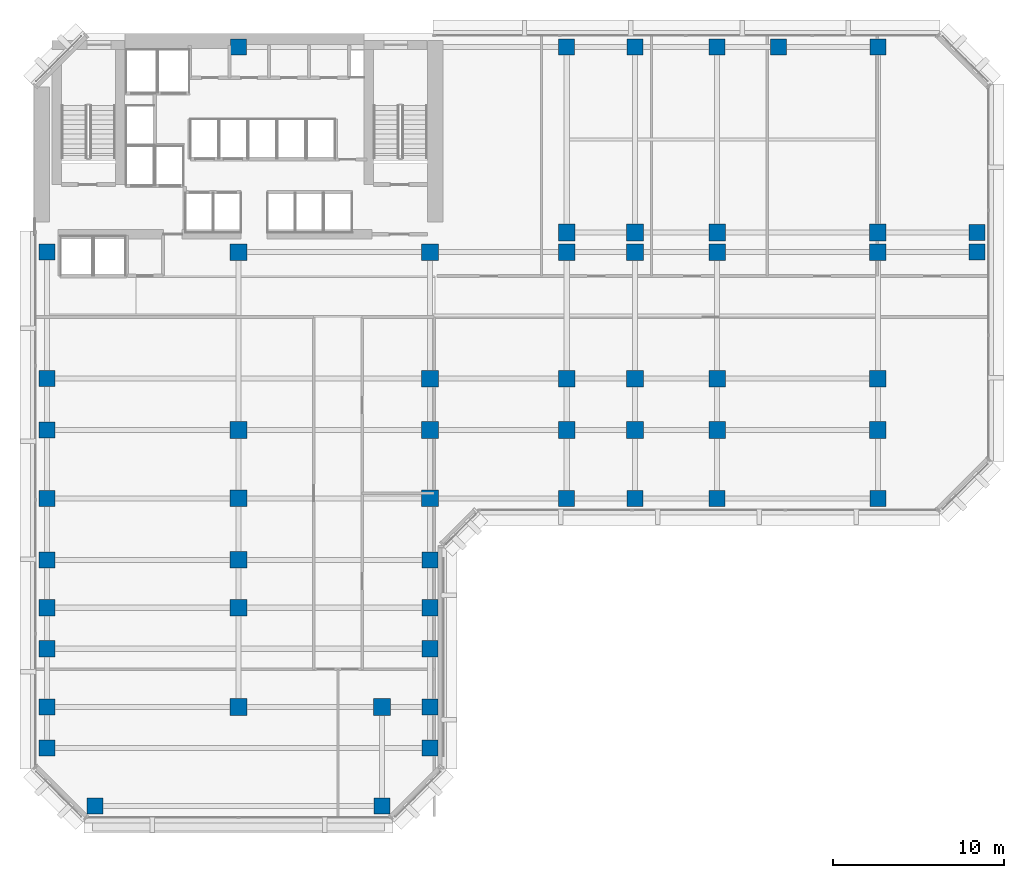
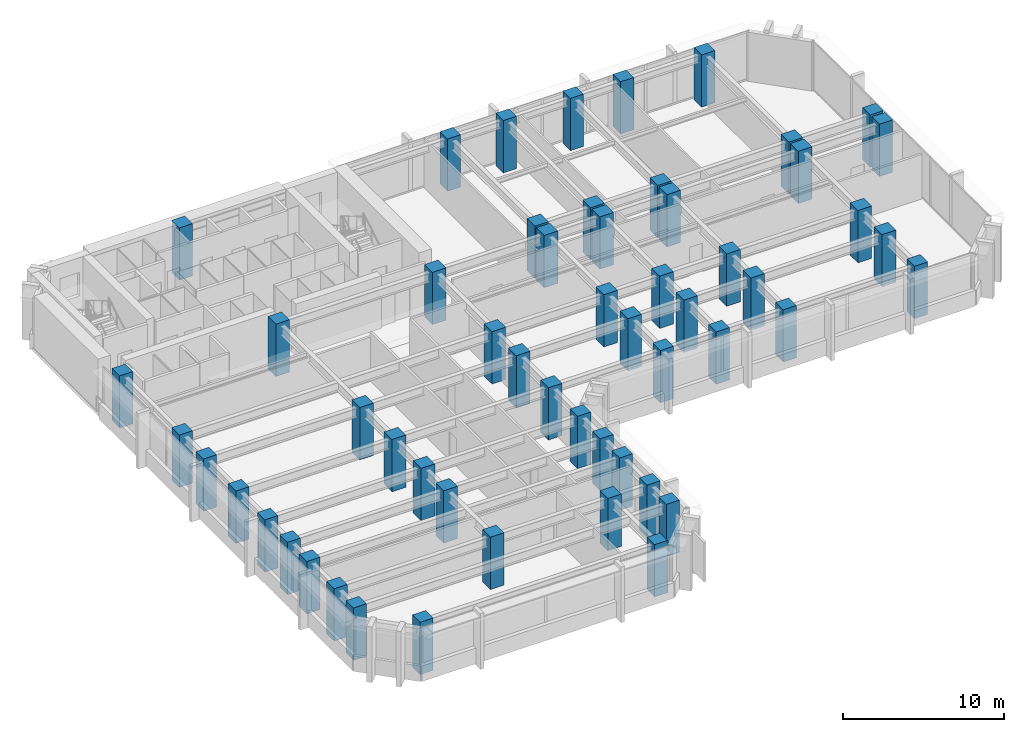
# One storey, part 1 of 13: 55 columns.
"""IFC4 building model written with IfcOpenShell, lengths in metres."""

import ifcopenshell
import ifcopenshell.guid

model = None  # the IFC model being written
_history = None  # IfcOwnerHistory: only IFC2X3 demands one
_inside = {}  # id of a spatial element -> (the spatial element, [elements in it])
_under = {}  # id of a project, library or spatial element -> (it, [spatial elements below it])
_declared = {}  # id of a project -> (the project, [libraries it declares])
_typed = {}  # id of a type object -> (the type object, [elements of that type])
_made_of = {}  # id of a material, layer set ... -> (it, [elements and type objects made of it])


def new_model(schema):
    """Start an empty IFC model of exactly this schema.

    Asked for "IFC4X3", IfcOpenShell would pick the latest addendum, in which some entities
    have other attributes; the version numbers below select the first issue.
    IFC2X3 requires an IfcOwnerHistory on every rooted entity: one is made here for all.
    """
    global model, _history
    if schema == "IFC4X3":
        model = ifcopenshell.file(schema_version=(4, 3, 0, 0))
    else:
        model = ifcopenshell.file(schema=schema)
    _inside.clear()
    _under.clear()
    _declared.clear()
    _typed.clear()
    _made_of.clear()
    _history = None
    if model.schema == "IFC2X3":
        org = make("IfcOrganization", Name="unknown")
        user = make(
            "IfcPersonAndOrganization",
            ThePerson=make("IfcPerson", FamilyName="unknown"),
            TheOrganization=org,
        )
        app = make(
            "IfcApplication",
            ApplicationDeveloper=org,
            Version="unknown",
            ApplicationFullName="unknown",
            ApplicationIdentifier="unknown",
        )
        _history = make(
            "IfcOwnerHistory",
            OwningUser=user,
            OwningApplication=app,
            ChangeAction="ADDED",
            CreationDate=0,
        )
    return model


def make(cls, **values):
    """One entity of the class cls with the attributes given. An attribute that is None is left unset."""
    return model.create_entity(
        cls, **{name: value for name, value in values.items() if value is not None}
    )


def rooted(cls, **values):
    """An entity with a GlobalId (a new one), such as an element, a storey or a relation."""
    return make(cls, GlobalId=ifcopenshell.guid.new(), OwnerHistory=_history, **values)


def si_unit(unit_type, name, prefix=None):
    """IfcSIUnit, for example si_unit("LENGTHUNIT", "METRE", prefix="MILLI")."""
    return make("IfcSIUnit", UnitType=unit_type, Prefix=prefix, Name=name)


def assignment(units):
    """IfcUnitAssignment: the units of a project."""
    return None if units is None else make("IfcUnitAssignment", Units=units)


def point(xyz):
    """IfcCartesianPoint."""
    return None if xyz is None else make("IfcCartesianPoint", Coordinates=xyz)


def direction(xyz):
    """IfcDirection."""
    return None if xyz is None else make("IfcDirection", DirectionRatios=xyz)


def frame(location, z_axis=None, x_axis=None):
    """IfcAxis2Placement3D, a coordinate frame: its origin and axes. An axis left out is left unset."""
    return make(
        "IfcAxis2Placement3D",
        Location=point(location),
        Axis=direction(z_axis),
        RefDirection=direction(x_axis),
    )


def frame_2d(location, x_axis=None):
    """IfcAxis2Placement2D, a coordinate frame in the plane: its origin and x axis."""
    return make(
        "IfcAxis2Placement2D", Location=point(location), RefDirection=direction(x_axis)
    )


def origin():
    """The frame at (0, 0, 0) with its axes left unset."""
    return frame((0.0, 0.0, 0.0))


def origin_2d():
    """The frame at (0, 0) in the plane with its x axis left unset."""
    return frame_2d((0.0, 0.0))


def place(relative_to, where):
    """IfcLocalPlacement: puts the frame where relative to a parent placement (None: the world)."""
    return make(
        "IfcLocalPlacement", PlacementRelTo=relative_to, RelativePlacement=where
    )


def context(
    kind, dimensions, precision=None, world=None, true_north=None, identifier=None
):
    """IfcGeometricRepresentationContext, for example the 3D "Model" context."""
    return make(
        "IfcGeometricRepresentationContext",
        ContextIdentifier=identifier,
        ContextType=kind,
        CoordinateSpaceDimension=dimensions,
        Precision=precision,
        WorldCoordinateSystem=world,
        TrueNorth=true_north,
    )


def subcontext(parent, identifier, kind, view, scale=None):
    """IfcGeometricRepresentationSubContext, for example "Body" below "Model"."""
    return make(
        "IfcGeometricRepresentationSubContext",
        ContextIdentifier=identifier,
        ContextType=kind,
        ParentContext=parent,
        TargetScale=scale,
        TargetView=view,
    )


def project(units=None, contexts=None):
    """IfcProject with its units and contexts."""
    return rooted(
        "IfcProject",
        Name="project",
        RepresentationContexts=contexts,
        UnitsInContext=assignment(units),
    )


def spatial(cls, under=None, at=None, **own):
    """A site, building, storey or space (cls), placed at a placement, below another one or the project."""
    s = rooted(cls, ObjectPlacement=at, **own)
    if under is not None:
        _under.setdefault(under.id(), (under, []))[1].append(s)
    return s


def profile(cls, at=None, kind="AREA", **sizes):
    """A parametric profile (cls). Its sizes go by their IFC names, for example OverallWidth=200.0."""
    return make(cls, ProfileType=kind, Position=at, **sizes)


def rectangle(**sizes):
    """IfcRectangleProfileDef."""
    return profile("IfcRectangleProfileDef", **sizes)


def extrude(swept, where, along, depth):
    """IfcExtrudedAreaSolid: the profile swept, set in the frame where, extruded along a direction by depth."""
    return make(
        "IfcExtrudedAreaSolid",
        SweptArea=swept,
        Position=where,
        ExtrudedDirection=direction(along),
        Depth=depth,
    )


def shape(context_of_items, identifier, shape_type, items):
    """IfcShapeRepresentation: the items that make up one representation, for example the "Body"."""
    return make(
        "IfcShapeRepresentation",
        ContextOfItems=context_of_items,
        RepresentationIdentifier=identifier,
        RepresentationType=shape_type,
        Items=items,
    )


def material(Name=None, Category=None):
    """IfcMaterial."""
    return make("IfcMaterial", Name=Name, Category=Category)


def material_profile(
    of_material, cross_section, Name=None, Category=None, Priority=None
):
    """IfcMaterialProfile: a cross section and its material."""
    return make(
        "IfcMaterialProfile",
        Name=Name,
        Material=of_material,
        Profile=cross_section,
        Priority=Priority,
        Category=Category,
    )


def profile_set(profiles, Name=None, composite=None):
    """IfcMaterialProfileSet."""
    return make(
        "IfcMaterialProfileSet",
        Name=Name,
        MaterialProfiles=profiles,
        CompositeProfile=composite,
    )


def made_of(thing, what):
    """Note that an element or type object is made of a material, layer set ...; save() writes the relation."""
    if what is not None:
        _made_of.setdefault(what.id(), (what, []))[1].append(thing)
    return thing


def type_object(cls, material=None, **own):
    """A type object (cls), such as IfcWallType, which elements share."""
    return made_of(rooted(cls, **own), material)


def element(
    cls,
    number,
    at=None,
    inside=None,
    cuts=None,
    type_object=None,
    material=None,
    context=None,
    identifier="Body",
    shape_type=None,
    held_by="IfcProductDefinitionShape",
    body=None,
    shapes=None,
    **own,
):
    """One element of the class cls, such as IfcWall. Its Tag is "e" and its number.

    at: its placement. inside: the storey or other place that contains it. cuts: it is an
    opening in that element (IfcRelVoidsElement). A single representation is given by context,
    identifier, shape_type and body (its items); several are given by shapes. held_by: the class
    of the entity that holds the representations. save() writes the other relations.
    """
    e = rooted(cls, Tag="e%d" % number, ObjectPlacement=at, **own)
    if body is not None:
        shapes = [shape(context, identifier, shape_type, body)]
    if shapes is not None:
        e.Representation = make(held_by, Representations=shapes)
    if inside is not None:
        _inside.setdefault(inside.id(), (inside, []))[1].append(e)
    if cuts is not None:
        rooted(
            "IfcRelVoidsElement", RelatingBuildingElement=cuts, RelatedOpeningElement=e
        )
    if type_object is not None:
        _typed.setdefault(type_object.id(), (type_object, []))[1].append(e)
    return made_of(e, material)


def aggregate(whole, parts):
    """IfcRelAggregates: a whole, such as a stair, and the parts it consists of."""
    return rooted("IfcRelAggregates", RelatingObject=whole, RelatedObjects=parts)


def save(model, path):
    """Write the relations noted so far, then the file.

    IfcRelAggregates (storeys below a building ...), IfcRelContainedInSpatialStructure (elements
    in a storey), IfcRelDefinesByType, IfcRelAssociatesMaterial and IfcRelDeclares: one each for
    every whole, place, type object, material and project.
    """
    for whole, parts in _under.values():
        aggregate(whole, parts)
    for where, things in _inside.values():
        rooted(
            "IfcRelContainedInSpatialStructure",
            RelatedElements=things,
            RelatingStructure=where,
        )
    for kind, things in _typed.values():
        rooted("IfcRelDefinesByType", RelatedObjects=things, RelatingType=kind)
    for what, things in _made_of.values():
        rooted("IfcRelAssociatesMaterial", RelatedObjects=things, RelatingMaterial=what)
    for by, libraries in _declared.values():
        rooted("IfcRelDeclares", RelatingContext=by, RelatedDefinitions=libraries)
    model.write(path)


model = new_model("IFC4")

# Units and contexts
model_context = context("Model", 3, precision=1e-05, world=origin(), true_north=direction((0.0, 1.0)))
body_context = subcontext(model_context, "Body", "Model", "MODEL_VIEW")
ifc_project = project(units=[si_unit("LENGTHUNIT", "METRE"), si_unit("AREAUNIT", "SQUARE_METRE"), si_unit("VOLUMEUNIT", "CUBIC_METRE"), si_unit("PLANEANGLEUNIT", "RADIAN"), si_unit("MASSUNIT", "GRAM", prefix="KILO")], contexts=[model_context])

# Site, building, storey
site_placement = place(None, origin())
site = spatial("IfcSite", under=ifc_project, at=site_placement, CompositionType="ELEMENT")
building_placement = place(site_placement, origin())
building = spatial("IfcBuilding", under=site, at=building_placement, Name="Kefirva Bronze Tower", CompositionType="ELEMENT")
storey_placement = place(building_placement, frame((0.0, 0.0, 73.919921875)))
storey = spatial("IfcBuildingStorey", under=building, at=storey_placement, Name="L17", CompositionType="ELEMENT", Elevation=73.919921875)

# Columns
ifc_material = material(Name="Concrete C60/75", Category="concrete")
ifc_material_profile_1 = material_profile(ifc_material, rectangle(XDim=0.93994140625, YDim=0.93994140625, at=origin_2d()), Name="RC 940x940")
ifc_profile_set_1 = profile_set([ifc_material_profile_1], Name="Concrete C60/75")
column_type_1 = type_object("IfcColumnType", Name="RC Column 940x940 Ext", PredefinedType="COLUMN", material=ifc_profile_set_1)
for number, where, z_axis, x_axis, name in (
    (1, (0.800048828125, 4.199951171875, 0.0), (0.0, 0.0, 1.0), (1.0, 0.0, 0.0), "L17 Column C008_042"),
    (2, (0.800048828125, 6.60009765625, 0.0), (0.0, 0.0, 1.0), (1.0, 0.0, 0.0), "L17 Column C008_066"),
    (3, (0.800048828125, 10.0, 0.0), (0.0, 0.0, 1.0), (1.0, 0.0, 0.0), "L17 Column C008_100"),
    (4, (0.800048828125, 12.39990234375, 0.0), (0.0, 0.0, 1.0), (1.0, 0.0, 0.0), "L17 Column C008_124"),
    (5, (0.800048828125, 15.199951171875, 0.0), (0.0, 0.0, 1.0), (1.0, 0.0, 0.0), "L17 Column C008_152"),
    (6, (0.800048828125, 18.800048828125, 0.0), (0.0, 0.0, 1.0), (1.0, 0.0, 0.0), "L17 Column C008_188"),
    (7, (0.800048828125, 22.800048828125, 0.0), (0.0, 0.0, 1.0), (1.0, 0.0, 0.0), "L17 Column C008_228"),
    (8, (0.800048828125, 25.800048828125, 0.0), (0.0, 0.0, 1.0), (1.0, 0.0, 0.0), "L17 Column C008_258"),
    (9, (0.800048828125, 33.199951171875, 0.0), (0.0, 0.0, 1.0), (1.0, 0.0, 0.0), "L17 Column C008_332"),
    (10, (3.60009765625, 0.800048828125, 0.0), (0.0, 0.0, 1.0), (1.0, 0.0, 0.0), "L17 Column C036_008"),
    (11, (12.0, 45.199951171875, 0.0), (0.0, 0.0, 1.0), (1.0, 0.0, 0.0), "L17 Column C120_452"),
    (12, (20.39990234375, 0.800048828125, 0.0), (0.0, 0.0, 1.0), (1.0, 0.0, 0.0), "L17 Column C204_008"),
    (13, (23.199951171875, 4.199951171875, 0.0), (0.0, 0.0, 1.0), (1.0, 0.0, 0.0), "L17 Column C232_042"),
    (14, (23.199951171875, 6.60009765625, 0.0), (0.0, 0.0, 1.0), (1.0, 0.0, 0.0), "L17 Column C232_066"),
    (15, (23.199951171875, 10.0, 0.0), (0.0, 0.0, 1.0), (1.0, 0.0, 0.0), "L17 Column C232_100"),
    (16, (23.199951171875, 12.39990234375, 0.0), (0.0, 0.0, 1.0), (1.0, 0.0, 0.0), "L17 Column C232_124"),
    (17, (23.199951171875, 15.199951171875, 0.0), (0.0, 0.0, 1.0), (1.0, 0.0, 0.0), "L17 Column C232_152"),
    (18, (31.199951171875, 18.800048828125, 0.0), (0.0, 0.0, 1.0), (1.0, 0.0, 0.0), "L17 Column C312_188"),
    (19, (31.199951171875, 45.199951171875, 0.0), (0.0, 0.0, 1.0), (1.0, 0.0, 0.0), "L17 Column C312_452"),
    (20, (35.199951171875, 18.800048828125, 0.0), (0.0, 0.0, 1.0), (1.0, 0.0, 0.0), "L17 Column C352_188"),
    (21, (35.199951171875, 45.199951171875, 0.0), (0.0, 0.0, 1.0), (1.0, 0.0, 0.0), "L17 Column C352_452"),
    (22, (40.0, 18.800048828125, 0.0), (0.0, 0.0, 1.0), (1.0, 0.0, 0.0), "L17 Column C400_188"),
    (23, (40.0, 45.199951171875, 0.0), (0.0, 0.0, 1.0), (1.0, 0.0, 0.0), "L17 Column C400_452"),
    (24, (43.60009765625, 45.199951171875, 0.0), (0.0, 0.0, 1.0), (1.0, 0.0, 0.0), "L17 Column C436_452"),
    (25, (49.39990234375, 18.800048828125, 0.0), (0.0, 0.0, 1.0), (1.0, 0.0, 0.0), "L17 Column C494_188"),
    (26, (49.39990234375, 45.199951171875, 0.0), (0.0, 0.0, 1.0), (1.0, 0.0, 0.0), "L17 Column C494_452"),
    (27, (55.199951171875, 33.199951171875, 0.0), (0.0, 0.0, 1.0), (1.0, 0.0, 0.0), "L17 Column C552_332"),
    (28, (55.199951171875, 34.35009765625, 0.0), (0.0, 0.0, 1.0), (1.0, 0.0, 0.0), "L17 Column C552_344"),
):
    element("IfcColumn", number, at=place(storey_placement, frame(where, z_axis=z_axis, x_axis=x_axis)), inside=storey, type_object=column_type_1, Name=name, PredefinedType="COLUMN", context=body_context, shape_type="SweptSolid", body=[
        extrude(rectangle(XDim=0.93994140625, YDim=0.93994140625, at=origin_2d()), origin(), (0.0, 0.0, 1.0), 3.9599609375),
    ])
ifc_material_profile_2 = material_profile(ifc_material, rectangle(XDim=0.97998046875, YDim=0.97998046875, at=origin_2d()), Name="RC 980x980")
ifc_profile_set_2 = profile_set([ifc_material_profile_2], Name="Concrete C60/75")
column_type_2 = type_object("IfcColumnType", Name="RC Column 980x980 Int", PredefinedType="COLUMN", material=ifc_profile_set_2)
for number, where, z_axis, x_axis, name in (
    (29, (12.0, 6.60009765625, 0.0), (0.0, 0.0, 1.0), (1.0, 0.0, 0.0), "L17 Column C120_066"),
    (30, (12.0, 12.39990234375, 0.0), (0.0, 0.0, 1.0), (1.0, 0.0, 0.0), "L17 Column C120_124"),
    (31, (12.0, 15.199951171875, 0.0), (0.0, 0.0, 1.0), (1.0, 0.0, 0.0), "L17 Column C120_152"),
    (32, (12.0, 18.800048828125, 0.0), (0.0, 0.0, 1.0), (1.0, 0.0, 0.0), "L17 Column C120_188"),
    (33, (12.0, 22.800048828125, 0.0), (0.0, 0.0, 1.0), (1.0, 0.0, 0.0), "L17 Column C120_228"),
    (34, (12.0, 33.199951171875, 0.0), (0.0, 0.0, 1.0), (1.0, 0.0, 0.0), "L17 Column C120_332"),
    (35, (20.39990234375, 6.60009765625, 0.0), (0.0, 0.0, 1.0), (1.0, 0.0, 0.0), "L17 Column C204_066"),
    (36, (23.199951171875, 18.800048828125, 0.0), (0.0, 0.0, 1.0), (1.0, 0.0, 0.0), "L17 Column C232_188"),
    (37, (23.199951171875, 22.800048828125, 0.0), (0.0, 0.0, 1.0), (1.0, 0.0, 0.0), "L17 Column C232_228"),
    (38, (23.199951171875, 25.800048828125, 0.0), (0.0, 0.0, 1.0), (1.0, 0.0, 0.0), "L17 Column C232_258"),
    (39, (23.199951171875, 33.199951171875, 0.0), (0.0, 0.0, 1.0), (1.0, 0.0, 0.0), "L17 Column C232_332"),
    (40, (31.199951171875, 22.800048828125, 0.0), (0.0, 0.0, 1.0), (1.0, 0.0, 0.0), "L17 Column C312_228"),
    (41, (31.199951171875, 25.800048828125, 0.0), (0.0, 0.0, 1.0), (1.0, 0.0, 0.0), "L17 Column C312_258"),
    (42, (31.199951171875, 33.199951171875, 0.0), (0.0, 0.0, 1.0), (1.0, 0.0, 0.0), "L17 Column C312_332"),
    (43, (31.199951171875, 34.35009765625, 0.0), (0.0, 0.0, 1.0), (1.0, 0.0, 0.0), "L17 Column C312_344"),
    (44, (35.199951171875, 22.800048828125, 0.0), (0.0, 0.0, 1.0), (1.0, 0.0, 0.0), "L17 Column C352_228"),
    (45, (35.199951171875, 25.800048828125, 0.0), (0.0, 0.0, 1.0), (1.0, 0.0, 0.0), "L17 Column C352_258"),
    (46, (35.199951171875, 33.199951171875, 0.0), (0.0, 0.0, 1.0), (1.0, 0.0, 0.0), "L17 Column C352_332"),
    (47, (35.199951171875, 34.35009765625, 0.0), (0.0, 0.0, 1.0), (1.0, 0.0, 0.0), "L17 Column C352_344"),
    (48, (40.0, 22.800048828125, 0.0), (0.0, 0.0, 1.0), (1.0, 0.0, 0.0), "L17 Column C400_228"),
    (49, (40.0, 25.800048828125, 0.0), (0.0, 0.0, 1.0), (1.0, 0.0, 0.0), "L17 Column C400_258"),
    (50, (40.0, 33.199951171875, 0.0), (0.0, 0.0, 1.0), (1.0, 0.0, 0.0), "L17 Column C400_332"),
    (51, (40.0, 34.35009765625, 0.0), (0.0, 0.0, 1.0), (1.0, 0.0, 0.0), "L17 Column C400_344"),
    (52, (49.39990234375, 22.800048828125, 0.0), (0.0, 0.0, 1.0), (1.0, 0.0, 0.0), "L17 Column C494_228"),
    (53, (49.39990234375, 25.800048828125, 0.0), (0.0, 0.0, 1.0), (1.0, 0.0, 0.0), "L17 Column C494_258"),
    (54, (49.39990234375, 33.199951171875, 0.0), (0.0, 0.0, 1.0), (1.0, 0.0, 0.0), "L17 Column C494_332"),
    (55, (49.39990234375, 34.35009765625, 0.0), (0.0, 0.0, 1.0), (1.0, 0.0, 0.0), "L17 Column C494_344"),
):
    element("IfcColumn", number, at=place(storey_placement, frame(where, z_axis=z_axis, x_axis=x_axis)), inside=storey, type_object=column_type_2, Name=name, PredefinedType="COLUMN", context=body_context, shape_type="SweptSolid", body=[
        extrude(rectangle(XDim=0.97998046875, YDim=0.97998046875, at=origin_2d()), origin(), (0.0, 0.0, 1.0), 3.9599609375),
    ])

save(model, "model.ifc")
